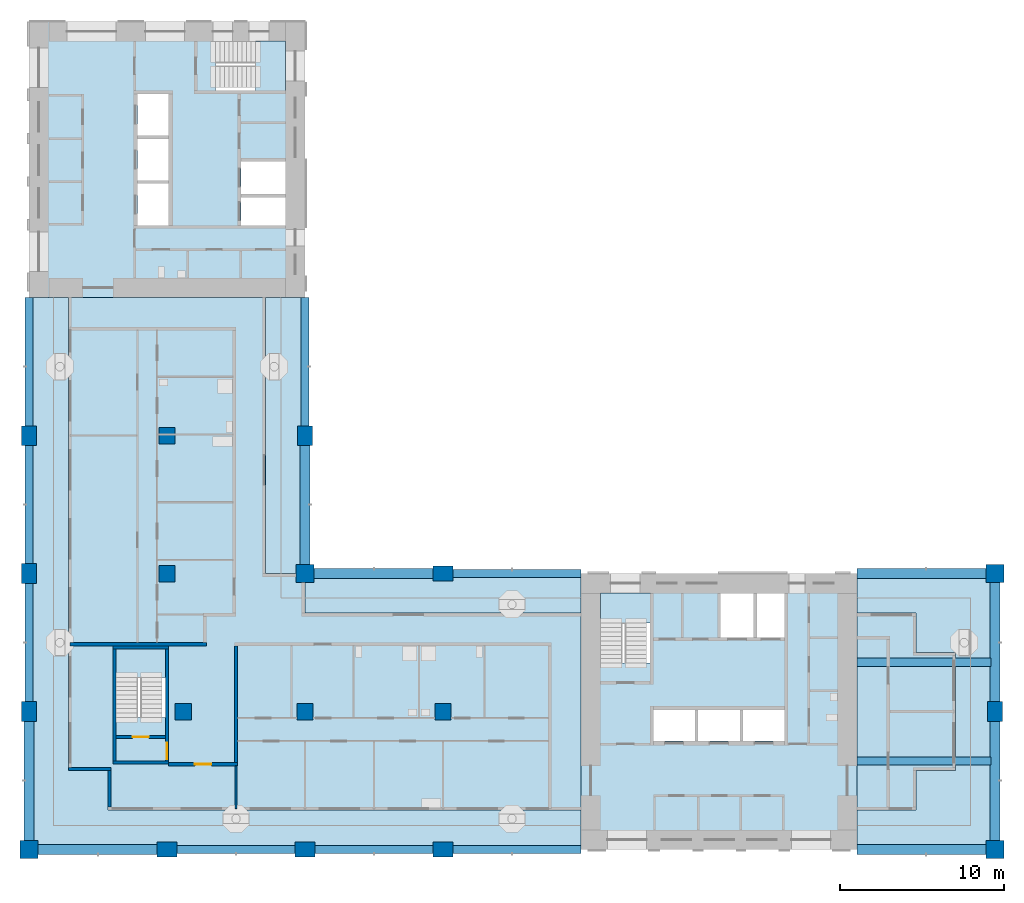
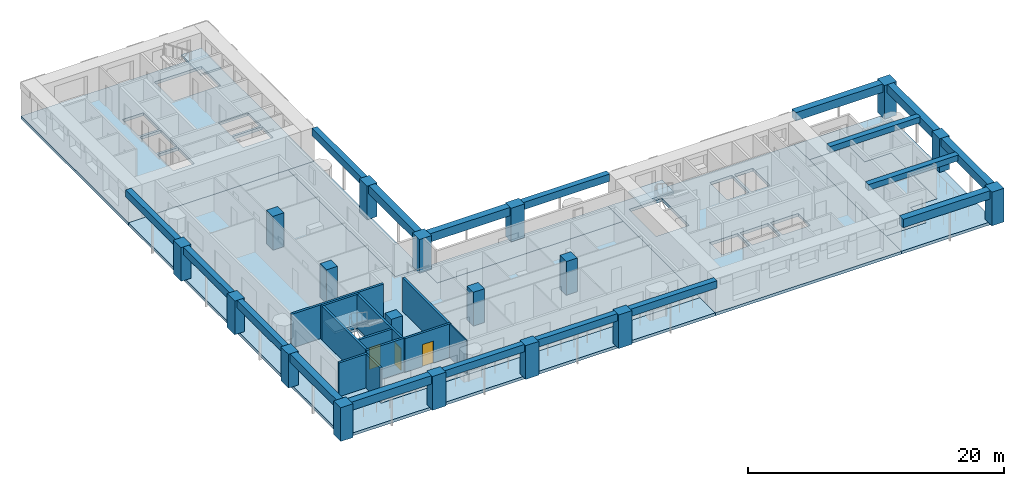
# One storey, part 1 of 13: 18 beams, 18 columns, 12 slabs, 11 walls, 3 doors, 3 openings, 3 elements without a shape of their own.
"""IFC4 building model written with IfcOpenShell, lengths in metres."""

from ifc_helpers import new_model, si_unit, direction, frame, frame_2d, origin, origin_2d, place, context, subcontext, project, spatial, polyline, rectangle, outline, extrude, material, layer, layer_set, material_profile, profile_set, type_object, element, fill, aggregate, save


model = new_model("IFC4")

# Units and contexts
model_context = context("Model", 3, precision=1e-05, world=origin(), true_north=direction((0.0, 1.0)))
body_context = subcontext(model_context, "Body", "Model", "MODEL_VIEW")
ifc_project = project(units=[si_unit("LENGTHUNIT", "METRE"), si_unit("AREAUNIT", "SQUARE_METRE"), si_unit("VOLUMEUNIT", "CUBIC_METRE"), si_unit("PLANEANGLEUNIT", "RADIAN"), si_unit("MASSUNIT", "GRAM", prefix="KILO")], contexts=[model_context])

# Site, building, storey
site_placement = place(None, origin())
site = spatial("IfcSite", under=ifc_project, at=site_placement, CompositionType="ELEMENT")
building_placement = place(site_placement, origin())
building = spatial("IfcBuilding", under=site, at=building_placement, Name="Vermilion Gate Residences", CompositionType="ELEMENT")
storey_placement = place(building_placement, frame((0.0, 0.0, 193.199951171875)))
storey = spatial("IfcBuildingStorey", under=building, at=storey_placement, Name="L50", CompositionType="ELEMENT", Elevation=193.199951171875)

# Columns
ifc_material_1 = material(Name="Concrete C60", Category="concrete")
ifc_material_profile_1 = material_profile(ifc_material_1, rectangle(XDim=1.0, YDim=1.0, at=origin_2d()), Name="RC-1000x1000")
ifc_profile_set_1 = profile_set([ifc_material_profile_1], Name="Concrete C60")
column_type_1 = type_object("IfcColumnType", Name="RC COLUMN 1000 X 1000 C60", PredefinedType="COLUMN", material=ifc_profile_set_1)
for number, where, z_axis, x_axis, name in (
    (1, (17.800048828125, 16.800048828125, 0.0), (0.0, 0.0, 1.0), (1.0, 0.0, 0.0), "Column 3-C L50"),
    (2, (16.800048828125, 25.199951171875, 0.0), (0.0, 0.0, 1.0), (1.0, 0.0, 0.0), "Column 3-D L50"),
    (3, (16.800048828125, 33.60009765625, 0.0), (0.0, 0.0, 1.0), (1.0, 0.0, 0.0), "Column 3-E L50"),
    (4, (25.199951171875, 16.800048828125, 0.0), (0.0, 0.0, 1.0), (1.0, 0.0, 0.0), "Column 4-C L50"),
    (5, (33.60009765625, 16.800048828125, 0.0), (0.0, 0.0, 1.0), (1.0, 0.0, 0.0), "Column 5-C L50"),
):
    element("IfcColumn", number, at=place(storey_placement, frame(where, z_axis=z_axis, x_axis=x_axis)), inside=storey, type_object=column_type_1, Name=name, PredefinedType="COLUMN", context=body_context, shape_type="SweptSolid", body=[
        extrude(rectangle(XDim=1.0, YDim=1.0, at=origin_2d()), origin(), (0.0, 0.0, 1.0), 3.219970703125),
    ])
ifc_material_2 = material(Name="Concrete C60", Category="concrete")
ifc_material_profile_2 = material_profile(ifc_material_2, rectangle(XDim=1.10009765625, YDim=1.10009765625, at=origin_2d()), Name="RC-1100x1100")
ifc_profile_set_2 = profile_set([ifc_material_profile_2], Name="Concrete C60")
column_type_2 = type_object("IfcColumnType", Name="RC COLUMN 1100 X 1100 C60", PredefinedType="COLUMN", material=ifc_profile_set_2)
for number, where, z_axis, x_axis, name in (
    (6, (8.39990234375, 8.39990234375, 0.0), (0.0, 0.0, 1.0), (1.0, 0.0, 0.0), "Column 2-B L50"),
    (7, (25.199951171875, 25.199951171875, 0.0), (0.0, 0.0, 1.0), (1.0, 0.0, 0.0), "Column 4-D L50"),
    (8, (67.199951171875, 8.39990234375, 0.0), (0.0, 0.0, 1.0), (1.0, 0.0, 0.0), "Column 9-B L50"),
    (9, (67.199951171875, 25.199951171875, 0.0), (0.0, 0.0, 1.0), (1.0, 0.0, 0.0), "Column 9-D L50"),
):
    element("IfcColumn", number, at=place(storey_placement, frame(where, z_axis=z_axis, x_axis=x_axis)), inside=storey, type_object=column_type_2, Name=name, PredefinedType="COLUMN", context=body_context, shape_type="SweptSolid", body=[
        extrude(rectangle(XDim=1.10009765625, YDim=1.10009765625, at=origin_2d()), origin(), (0.0, 0.0, 1.0), 3.219970703125),
    ])
ifc_material_3 = material(Name="Concrete C60", Category="concrete")
ifc_material_profile_3 = material_profile(ifc_material_3, rectangle(XDim=1.199951171875, YDim=0.89990234375, at=origin_2d()), Name="RC-1200x900")
ifc_profile_set_3 = profile_set([ifc_material_profile_3], Name="Concrete C60")
column_type_3 = type_object("IfcColumnType", Name="RC COLUMN 1200 X 900 C60", PredefinedType="COLUMN", material=ifc_profile_set_3)
for number, where, z_axis, x_axis, name in (
    (10, (8.39990234375, 16.800048828125, 0.0), (0.0, 0.0, 1.0), (0.0, 1.0, 0.0), "Column 2-C L50"),
    (11, (8.39990234375, 25.199951171875, 0.0), (0.0, 0.0, 1.0), (0.0, 1.0, 0.0), "Column 2-D L50"),
    (12, (8.39990234375, 33.60009765625, 0.0), (0.0, 0.0, 1.0), (0.0, 1.0, 0.0), "Column 2-E L50"),
    (13, (16.800048828125, 8.39990234375, 0.0), (0.0, 0.0, 1.0), (1.0, 0.0, 0.0), "Column 3-B L50"),
    (14, (25.199951171875, 8.39990234375, 0.0), (0.0, 0.0, 1.0), (1.0, 0.0, 0.0), "Column 4-B L50"),
    (15, (25.199951171875, 33.60009765625, 0.0), (0.0, 0.0, 1.0), (0.0, 1.0, 0.0), "Column 4-E L50"),
    (16, (33.60009765625, 8.39990234375, 0.0), (0.0, 0.0, 1.0), (1.0, 0.0, 0.0), "Column 5-B L50"),
    (17, (33.60009765625, 25.199951171875, 0.0), (0.0, 0.0, 1.0), (1.0, 0.0, 0.0), "Column 5-D L50"),
    (18, (67.199951171875, 16.800048828125, 0.0), (0.0, 0.0, 1.0), (0.0, 1.0, 0.0), "Column 9-C L50"),
):
    element("IfcColumn", number, at=place(storey_placement, frame(where, z_axis=z_axis, x_axis=x_axis)), inside=storey, type_object=column_type_3, Name=name, PredefinedType="COLUMN", context=body_context, shape_type="SweptSolid", body=[
        extrude(rectangle(XDim=1.199951171875, YDim=0.89990234375, at=origin_2d()), origin(), (0.0, 0.0, 1.0), 3.219970703125),
    ])

# Beams
ifc_material_4 = material(Name="Concrete C60 red-oxide pigmented", Category="concrete")
ifc_material_profile_4 = material_profile(ifc_material_4, rectangle(XDim=0.60009765625, YDim=0.800048828125, at=origin_2d()), Name="RC-600x800")
ifc_profile_set_4 = profile_set([ifc_material_profile_4], Name="Concrete C60 red-oxide pigmented")
beam_type_1 = type_object("IfcBeamType", Name="RC CORNER EDGE BEAM 600 X 800 C60", PredefinedType="BEAM", material=ifc_profile_set_4)
for number, where, z_axis, x_axis, name in (
    (19, (8.949951171875, 8.39990234375, 2.820068359375), (1.0, 0.0, 0.0), (0.0, 1.0, 0.0), "Corner edge beam L50 1"),
    (20, (8.39990234375, 8.949951171875, 2.820068359375), (0.0, 1.0, 0.0), (-1.0, 0.0, 0.0), "Corner edge beam L50 2"),
    (21, (25.199951171875, 25.75, 2.820068359375), (0.0, 1.0, 0.0), (-1.0, 0.0, 0.0), "Corner edge beam L50 7"),
    (22, (25.75, 25.199951171875, 2.820068359375), (1.0, 0.0, 0.0), (0.0, 1.0, 0.0), "Corner edge beam L50 10"),
):
    element("IfcBeam", number, at=place(storey_placement, frame(where, z_axis=z_axis, x_axis=x_axis)), inside=storey, type_object=beam_type_1, Name=name, PredefinedType="BEAM", context=body_context, shape_type="SweptSolid", body=[
        extrude(rectangle(XDim=0.60009765625, YDim=0.800048828125, at=origin_2d()), origin(), (0.0, 0.0, 1.0), 7.25),
    ])
beam_1_placement = place(storey_placement, frame((58.800048828125, 8.39990234375, 2.820068359375), z_axis=(1.0, 0.0, 0.0), x_axis=(0.0, 1.0, 0.0)))
element("IfcBeam", 23, at=beam_1_placement, inside=storey, type_object=beam_type_1, Name="Corner edge beam L50 13", PredefinedType="BEAM", context=body_context, shape_type="SweptSolid", body=[
    extrude(rectangle(XDim=0.60009765625, YDim=0.800048828125, at=origin_2d()), origin(), (0.0, 0.0, 1.0), 7.849853515625),
])
for number, where, z_axis, x_axis, name in (
    (24, (67.199951171875, 8.949951171875, 2.820068359375), (0.0, 1.0, 0.0), (-1.0, 0.0, 0.0), "Corner edge beam L50 14"),
    (25, (67.199951171875, 17.39990234375, 2.820068359375), (0.0, 1.0, 0.0), (-1.0, 0.0, 0.0), "Corner edge beam L50 15"),
):
    element("IfcBeam", number, at=place(storey_placement, frame(where, z_axis=z_axis, x_axis=x_axis)), inside=storey, type_object=beam_type_1, Name=name, PredefinedType="BEAM", context=body_context, shape_type="SweptSolid", body=[
        extrude(rectangle(XDim=0.60009765625, YDim=0.800048828125, at=origin_2d()), origin(), (0.0, 0.0, 1.0), 7.25),
    ])
beam_2_placement = place(storey_placement, frame((58.800048828125, 25.199951171875, 2.820068359375), z_axis=(1.0, 0.0, 0.0), x_axis=(0.0, 1.0, 0.0)))
element("IfcBeam", 26, at=beam_2_placement, inside=storey, type_object=beam_type_1, Name="Corner edge beam L50 16", PredefinedType="BEAM", context=body_context, shape_type="SweptSolid", body=[
    extrude(rectangle(XDim=0.60009765625, YDim=0.800048828125, at=origin_2d()), origin(), (0.0, 0.0, 1.0), 7.849853515625),
])
ifc_material_5 = material(Name="Concrete C60 red-oxide pigmented", Category="concrete")
ifc_material_profile_5 = material_profile(ifc_material_5, rectangle(XDim=0.5, YDim=0.699951171875, at=origin_2d()), Name="RC-500x700")
ifc_profile_set_5 = profile_set([ifc_material_profile_5], Name="Concrete C60 red-oxide pigmented")
beam_type_2 = type_object("IfcBeamType", Name="RC EDGE BEAM 500 X 700 C60", PredefinedType="BEAM", material=ifc_profile_set_5)
beam_3_placement = place(storey_placement, frame((8.39990234375, 17.39990234375, 2.8701171875), z_axis=(0.0, 1.0, 0.0), x_axis=(-1.0, 0.0, 0.0)))
element("IfcBeam", 27, at=beam_3_placement, inside=storey, type_object=beam_type_2, Name="Edge beam L50 3", PredefinedType="BEAM", context=body_context, shape_type="SweptSolid", body=[
    extrude(rectangle(XDim=0.5, YDim=0.699951171875, at=origin_2d()), origin(), (0.0, 0.0, 1.0), 7.2001953125),
])
beam_4_placement = place(storey_placement, frame((8.39990234375, 25.800048828125, 2.8701171875), z_axis=(0.0, 1.0, 0.0), x_axis=(-1.0, 0.0, 0.0)))
element("IfcBeam", 28, at=beam_4_placement, inside=storey, type_object=beam_type_2, Name="Edge beam L50 4", PredefinedType="BEAM", context=body_context, shape_type="SweptSolid", body=[
    extrude(rectangle(XDim=0.5, YDim=0.699951171875, at=origin_2d()), origin(), (0.0, 0.0, 1.0), 7.199951171875),
])
beam_5_placement = place(storey_placement, frame((8.39990234375, 34.199951171875, 2.8701171875), z_axis=(0.0, 1.0, 0.0), x_axis=(-1.0, 0.0, 0.0)))
element("IfcBeam", 29, at=beam_5_placement, inside=storey, type_object=beam_type_2, Name="Edge beam L50 5", PredefinedType="BEAM", context=body_context, shape_type="SweptSolid", body=[
    extrude(rectangle(XDim=0.5, YDim=0.699951171875, at=origin_2d()), origin(), (0.0, 0.0, 1.0), 7.800048828125),
])
beam_6_placement = place(storey_placement, frame((17.39990234375, 8.39990234375, 2.8701171875), z_axis=(1.0, 0.0, 0.0), x_axis=(0.0, 1.0, 0.0)))
element("IfcBeam", 30, at=beam_6_placement, inside=storey, type_object=beam_type_2, Name="Edge beam L50 6", PredefinedType="BEAM", context=body_context, shape_type="SweptSolid", body=[
    extrude(rectangle(XDim=0.5, YDim=0.699951171875, at=origin_2d()), origin(), (0.0, 0.0, 1.0), 7.2001953125),
])
beam_7_placement = place(storey_placement, frame((25.199951171875, 34.199951171875, 2.8701171875), z_axis=(0.0, 1.0, 0.0), x_axis=(-1.0, 0.0, 0.0)))
element("IfcBeam", 31, at=beam_7_placement, inside=storey, type_object=beam_type_2, Name="Edge beam L50 8", PredefinedType="BEAM", context=body_context, shape_type="SweptSolid", body=[
    extrude(rectangle(XDim=0.5, YDim=0.699951171875, at=origin_2d()), origin(), (0.0, 0.0, 1.0), 7.800048828125),
])
beam_8_placement = place(storey_placement, frame((25.800048828125, 8.39990234375, 2.8701171875), z_axis=(1.0, 0.0, 0.0), x_axis=(0.0, 1.0, 0.0)))
element("IfcBeam", 32, at=beam_8_placement, inside=storey, type_object=beam_type_2, Name="Edge beam L50 9", PredefinedType="BEAM", context=body_context, shape_type="SweptSolid", body=[
    extrude(rectangle(XDim=0.5, YDim=0.699951171875, at=origin_2d()), origin(), (0.0, 0.0, 1.0), 7.199951171875),
])
for number, where, z_axis, x_axis, name in (
    (33, (34.199951171875, 8.39990234375, 2.8701171875), (1.0, 0.0, 0.0), (0.0, 1.0, 0.0), "Edge beam L50 11"),
    (34, (34.199951171875, 25.199951171875, 2.8701171875), (1.0, 0.0, 0.0), (0.0, 1.0, 0.0), "Edge beam L50 12"),
):
    element("IfcBeam", number, at=place(storey_placement, frame(where, z_axis=z_axis, x_axis=x_axis)), inside=storey, type_object=beam_type_2, Name=name, PredefinedType="BEAM", context=body_context, shape_type="SweptSolid", body=[
        extrude(rectangle(XDim=0.5, YDim=0.699951171875, at=origin_2d()), origin(), (0.0, 0.0, 1.0), 7.800048828125),
    ])
ifc_material_6 = material(Name="Concrete C60", Category="concrete")
ifc_material_profile_6 = material_profile(ifc_material_6, rectangle(XDim=0.5, YDim=0.550048828125, at=origin_2d()), Name="RC-500x550")
ifc_profile_set_6 = profile_set([ifc_material_profile_6], Name="Concrete C60")
beam_type_3 = type_object("IfcBeamType", Name="RC WING BEAM 500 X 550 C60", PredefinedType="BEAM", material=ifc_profile_set_6)
for number, where, z_axis, x_axis, name in (
    (35, (58.800048828125, 13.800048828125, 2.945068359375), (1.0, 0.0, 0.0), (0.0, 1.0, 0.0), "Wing-end beam L50 1"),
    (36, (58.800048828125, 19.800048828125, 2.945068359375), (1.0, 0.0, 0.0), (0.0, 1.0, 0.0), "Wing-end beam L50 2"),
):
    element("IfcBeam", number, at=place(storey_placement, frame(where, z_axis=z_axis, x_axis=x_axis)), inside=storey, type_object=beam_type_3, Name=name, PredefinedType="BEAM", context=body_context, shape_type="SweptSolid", body=[
        extrude(rectangle(XDim=0.5, YDim=0.550048828125, at=origin_2d()), origin(), (0.0, 0.0, 1.0), 8.14990234375),
    ])

# Slabs
ifc_material_7 = material(Name="Concrete C50", Category="concrete")
ifc_layer_1 = layer(ifc_material_7, 0.280029296875)
ifc_layer_set_1 = layer_set([ifc_layer_1], Name="RC CORE FLOOR SLAB 280 C50")
slab_type_1 = type_object("IfcSlabType", Name="RC CORE FLOOR SLAB 280 C50", PredefinedType="FLOOR", material=ifc_layer_set_1)
slab_1_placement = place(storey_placement, frame((0.0, 0.0, -0.280029296875)))
element("IfcSlab", 37, at=slab_1_placement, inside=storey, type_object=slab_type_1, Name="Core floor slab A50", PredefinedType="FLOOR", context=body_context, shape_type="SweptSolid", body=[
    extrude(outline(polyline([(42.0, 8.39990234375), (58.800048828125, 8.39990234375), (58.800048828125, 25.199951171875), (42.0, 25.199951171875), (42.0, 8.39990234375)]), holes=[polyline([(46.39990234375, 15.0), (46.39990234375, 16.89990234375), (48.933349609375, 16.89990234375), (48.933349609375, 15.0), (46.39990234375, 15.0)]), polyline([(49.13330078125, 16.89990234375), (51.666748046875, 16.89990234375), (51.666748046875, 15.0), (49.13330078125, 15.0), (49.13330078125, 16.89990234375)]), polyline([(51.86669921875, 16.89990234375), (54.39990234375, 16.89990234375), (54.39990234375, 15.0), (51.86669921875, 15.0), (51.86669921875, 16.89990234375)]), polyline([(43.199951171875, 19.75), (43.199951171875, 24.0), (46.199951171875, 24.0), (46.199951171875, 19.75), (43.199951171875, 19.75)]), polyline([(50.5, 24.0), (52.5, 24.0), (52.5, 21.300048828125), (50.5, 21.300048828125), (50.5, 24.0)]), polyline([(52.699951171875, 24.0), (54.39990234375, 24.0), (54.39990234375, 21.300048828125), (52.699951171875, 21.300048828125), (52.699951171875, 24.0)])]), origin(), (0.0, 0.0, 1.0), 0.280029296875),
])
slab_2_placement = place(storey_placement, frame((0.0, 0.0, -0.280029296875)))
element("IfcSlab", 38, at=slab_2_placement, inside=storey, type_object=slab_type_1, Name="Core floor slab B50", PredefinedType="FLOOR", context=body_context, shape_type="SweptSolid", body=[
    extrude(outline(polyline([(8.39990234375, 42.0), (25.199951171875, 42.0), (25.199951171875, 58.800048828125), (8.39990234375, 58.800048828125), (8.39990234375, 42.0)]), holes=[polyline([(21.300048828125, 46.39990234375), (21.300048828125, 48.10009765625), (24.0, 48.10009765625), (24.0, 46.39990234375), (21.300048828125, 46.39990234375)]), polyline([(15.0, 48.933349609375), (16.89990234375, 48.933349609375), (16.89990234375, 46.39990234375), (15.0, 46.39990234375), (15.0, 48.933349609375)]), polyline([(21.300048828125, 50.300048828125), (24.0, 50.300048828125), (24.0, 48.300048828125), (21.300048828125, 48.300048828125), (21.300048828125, 50.300048828125)]), polyline([(15.0, 49.13330078125), (15.0, 51.666748046875), (16.89990234375, 51.666748046875), (16.89990234375, 49.13330078125), (15.0, 49.13330078125)]), polyline([(15.0, 54.39990234375), (16.89990234375, 54.39990234375), (16.89990234375, 51.86669921875), (15.0, 51.86669921875), (15.0, 54.39990234375)]), polyline([(19.75, 57.60009765625), (24.0, 57.60009765625), (24.0, 54.60009765625), (19.75, 54.60009765625), (19.75, 57.60009765625)])]), origin(), (0.0, 0.0, 1.0), 0.280029296875),
])
slab_3_placement = place(storey_placement, frame((0.0, 0.0, -0.280029296875)))
element("IfcSlab", 39, at=slab_3_placement, inside=storey, type_object=slab_type_1, Name="Apex stair floor slab 50", PredefinedType="FLOOR", context=body_context, shape_type="SweptSolid", body=[
    extrude(outline(polyline([(13.5, 13.60009765625), (16.89990234375, 13.60009765625), (16.89990234375, 20.800048828125), (13.5, 20.800048828125), (13.5, 13.60009765625)]), holes=[polyline([(16.699951171875, 20.60009765625), (16.699951171875, 16.449951171875), (13.699951171875, 16.449951171875), (13.699951171875, 20.60009765625), (16.699951171875, 20.60009765625)])]), origin(), (0.0, 0.0, 1.0), 0.280029296875),
])
ifc_material_8 = material(Name="Concrete C50", Category="concrete")
ifc_layer_2 = layer(ifc_material_8, 0.280029296875)
ifc_layer_set_2 = layer_set([ifc_layer_2], Name="RC FLAT PLATE 280 C50")
slab_type_2 = type_object("IfcSlabType", Name="RC FLAT PLATE 280 C50", PredefinedType="FLOOR", material=ifc_layer_set_2)
slab_4_placement = place(storey_placement, frame((0.0, 0.0, -0.280029296875)))
element("IfcSlab", 40, at=slab_4_placement, inside=storey, type_object=slab_type_2, Name="Floor slab L50", PredefinedType="FLOOR", context=body_context, shape_type="SweptSolid", body=[
    extrude(outline(polyline([(22.800048828125, 25.199951171875), (22.800048828125, 42.0), (10.800048828125, 42.0), (10.800048828125, 13.199951171875), (13.199951171875, 13.199951171875), (13.199951171875, 10.800048828125), (42.0, 10.800048828125), (42.0, 22.800048828125), (25.199951171875, 22.800048828125), (25.199951171875, 25.199951171875), (22.800048828125, 25.199951171875)]), holes=[polyline([(13.5, 13.60009765625), (13.5, 20.800048828125), (16.89990234375, 20.800048828125), (16.89990234375, 13.60009765625), (13.5, 13.60009765625)])]), origin(), (0.0, 0.0, 1.0), 0.280029296875),
])
slab_5_placement = place(storey_placement, frame((0.0, 0.0, -0.280029296875)))
element("IfcSlab", 41, at=slab_5_placement, inside=storey, type_object=slab_type_2, Name="Floor slab L50", PredefinedType="FLOOR", context=body_context, shape_type="SweptSolid", body=[
    extrude(outline(polyline([(58.800048828125, 22.800048828125), (58.800048828125, 10.800048828125), (62.39990234375, 10.800048828125), (62.39990234375, 13.199951171875), (64.800048828125, 13.199951171875), (64.800048828125, 20.39990234375), (62.39990234375, 20.39990234375), (62.39990234375, 22.800048828125), (58.800048828125, 22.800048828125)])), origin(), (0.0, 0.0, 1.0), 0.280029296875),
])
ifc_material_9 = material(Name="Concrete C50 red-oxide pigmented", Category="concrete")
ifc_layer_3 = layer(ifc_material_9, 0.280029296875)
ifc_layer_set_3 = layer_set([ifc_layer_3], Name="RC LOGGIA SLAB 280 C50")
slab_type_3 = type_object("IfcSlabType", Name="RC LOGGIA SLAB 280 C50", PredefinedType="FLOOR", material=ifc_layer_set_3)
slab_6_placement = place(storey_placement, frame((0.0, 0.0, -0.280029296875)))
element("IfcSlab", 42, at=slab_6_placement, inside=storey, type_object=slab_type_3, Name="Loggia slab L50", PredefinedType="FLOOR", context=body_context, shape_type="SweptSolid", body=[
    extrude(outline(polyline([(8.39990234375, 42.0), (8.39990234375, 8.39990234375), (42.0, 8.39990234375), (42.0, 10.800048828125), (13.199951171875, 10.800048828125), (13.199951171875, 13.199951171875), (10.800048828125, 13.199951171875), (10.800048828125, 42.0), (8.39990234375, 42.0)])), origin(), (0.0, 0.0, 1.0), 0.280029296875),
])
slab_7_placement = place(storey_placement, frame((0.0, 0.0, -0.280029296875)))
element("IfcSlab", 43, at=slab_7_placement, inside=storey, type_object=slab_type_3, Name="Loggia slab L50", PredefinedType="FLOOR", context=body_context, shape_type="SweptSolid", body=[
    extrude(outline(polyline([(64.800048828125, 13.199951171875), (62.39990234375, 13.199951171875), (62.39990234375, 10.800048828125), (58.800048828125, 10.800048828125), (58.800048828125, 8.39990234375), (67.199951171875, 8.39990234375), (67.199951171875, 25.199951171875), (58.800048828125, 25.199951171875), (58.800048828125, 22.800048828125), (62.39990234375, 22.800048828125), (62.39990234375, 20.39990234375), (64.800048828125, 20.39990234375), (64.800048828125, 13.199951171875)])), origin(), (0.0, 0.0, 1.0), 0.280029296875),
])
slab_8_placement = place(storey_placement, frame((0.0, 0.0, -0.280029296875)))
element("IfcSlab", 44, at=slab_8_placement, inside=storey, type_object=slab_type_3, Name="Loggia slab L50", PredefinedType="FLOOR", context=body_context, shape_type="SweptSolid", body=[
    extrude(outline(polyline([(42.0, 25.199951171875), (25.199951171875, 25.199951171875), (25.199951171875, 22.800048828125), (42.0, 22.800048828125), (42.0, 25.199951171875)])), origin(), (0.0, 0.0, 1.0), 0.280029296875),
])
slab_9_placement = place(storey_placement, frame((0.0, 0.0, -0.280029296875)))
element("IfcSlab", 45, at=slab_9_placement, inside=storey, type_object=slab_type_3, Name="Loggia slab L50", PredefinedType="FLOOR", context=body_context, shape_type="SweptSolid", body=[
    extrude(outline(polyline([(22.800048828125, 42.0), (22.800048828125, 25.199951171875), (25.199951171875, 25.199951171875), (25.199951171875, 42.0), (22.800048828125, 42.0)])), origin(), (0.0, 0.0, 1.0), 0.280029296875),
])

# Stair, slab
ifc_material_10 = material(Name="Concrete C50", Category="concrete")
stair_type = type_object("IfcStairType", Name="SPECIAL ESCAPE STAIR 1300", PredefinedType="HALF_TURN_STAIR", material=ifc_material_10)
stair_1_placement = place(storey_placement, origin())
stair_1 = element("IfcStair", 46, at=stair_1_placement, inside=storey, type_object=stair_type, Name="Special escape stair STA1-50", PredefinedType="HALF_TURN_STAIR")
ifc_material_11 = material(Name="Concrete C50", Category="concrete")
ifc_layer_4 = layer(ifc_material_11, 0.199951171875)
ifc_layer_set_4 = layer_set([ifc_layer_4], Name="STAIR LANDING 200 C50")
slab_type_4 = type_object("IfcSlabType", Name="STAIR LANDING 200 C50", PredefinedType="LANDING", material=ifc_layer_set_4)
slab_10_placement = place(storey_placement, frame((0.0, 0.0, 1.550048828125)))
slab_10 = element("IfcSlab", 47, at=slab_10_placement, type_object=slab_type_4, Name="STA1-50 landing 1", PredefinedType="LANDING", context=body_context, shape_type="SweptSolid", body=[
    extrude(outline(polyline([(46.219970703125, 22.179931640625), (46.219970703125, 24.02001953125), (43.179931640625, 24.02001953125), (43.179931640625, 22.179931640625), (46.219970703125, 22.179931640625)])), origin(), (0.0, 0.0, 1.0), 0.199951171875),
])
aggregate(stair_1, [slab_10])

stair_2_placement = place(storey_placement, origin())
stair_2 = element("IfcStair", 48, at=stair_2_placement, inside=storey, type_object=stair_type, Name="Special escape stair STB1-50", PredefinedType="HALF_TURN_STAIR")
slab_11_placement = place(storey_placement, frame((0.0, 0.0, 1.550048828125)))
slab_11 = element("IfcSlab", 49, at=slab_11_placement, type_object=slab_type_4, Name="STB1-50 landing 1", PredefinedType="LANDING", context=body_context, shape_type="SweptSolid", body=[
    extrude(outline(polyline([(24.02001953125, 54.580078125), (24.02001953125, 57.6201171875), (22.179931640625, 57.6201171875), (22.179931640625, 54.580078125), (24.02001953125, 54.580078125)])), origin(), (0.0, 0.0, 1.0), 0.199951171875),
])
aggregate(stair_2, [slab_11])

stair_3_placement = place(storey_placement, origin())
stair_3 = element("IfcStair", 50, at=stair_3_placement, inside=storey, type_object=stair_type, Name="Special escape stair STC1-50", PredefinedType="HALF_TURN_STAIR")
slab_12_placement = place(storey_placement, frame((0.0, 0.0, 1.550048828125)))
slab_12 = element("IfcSlab", 51, at=slab_12_placement, type_object=slab_type_4, Name="STC1-50 landing 1", PredefinedType="LANDING", context=body_context, shape_type="SweptSolid", body=[
    extrude(outline(polyline([(16.719970703125, 18.8798828125), (16.719970703125, 20.6201171875), (13.679931640625, 20.6201171875), (13.679931640625, 18.8798828125), (16.719970703125, 18.8798828125)])), origin(), (0.0, 0.0, 1.0), 0.199951171875),
])
aggregate(stair_3, [slab_12])

# Walls
ifc_material_12 = material(Name="Insulated steel stud wall with terracotta rainscreen", Category="masonry")
ifc_layer_5 = layer(ifc_material_12, 0.199951171875)
ifc_layer_set_5 = layer_set([ifc_layer_5], Name="EXTERNAL WALL 200 TERRACOTTA RAINSCREEN")
wall_type_1 = type_object("IfcWallType", Name="EXTERNAL WALL 200 TERRACOTTA RAINSCREEN", PredefinedType="SOLIDWALL", material=ifc_layer_set_5)
wall_1_placement = place(storey_placement, frame((10.800048828125, 13.300048828125, 0.0), z_axis=(0.0, 0.0, 1.0), x_axis=(1.0, 0.0, 0.0)))
element("IfcWall", 52, at=wall_1_placement, inside=storey, type_object=wall_type_1, Name="External wall", PredefinedType="SOLIDWALL", context=body_context, shape_type="SweptSolid", body=[
    extrude(rectangle(XDim=2.599853515625, YDim=0.199951171875, at=frame_2d((1.2998046875, 0.0))), origin(), (0.0, 0.0, 1.0), 3.219970703125),
])
wall_2_placement = place(storey_placement, frame((13.300048828125, 13.199951171875, 0.0), z_axis=(0.0, 0.0, 1.0), x_axis=(0.0, -1.0, 0.0)))
element("IfcWall", 53, at=wall_2_placement, inside=storey, type_object=wall_type_1, Name="External wall", PredefinedType="SOLIDWALL", context=body_context, shape_type="SweptSolid", body=[
    extrude(rectangle(XDim=2.199951171875, YDim=0.199951171875, at=frame_2d((1.10009765625, 0.0))), origin(), (0.0, 0.0, 1.0), 3.219970703125),
])
ifc_material_13 = material(Name="Plasterboard on steel studs", Category="steel")
ifc_layer_6 = layer(ifc_material_13, 0.10009765625)
ifc_layer_set_6 = layer_set([ifc_layer_6], Name="PARTITION 100")
wall_type_2 = type_object("IfcWallType", Name="PARTITION 100", PredefinedType="PARTITIONING", material=ifc_layer_set_6)
wall_3_placement = place(storey_placement, frame((21.0, 10.89990234375, 0.0), z_axis=(0.0, 0.0, 1.0), x_axis=(0.0, 1.0, 0.0)))
element("IfcWall", 54, at=wall_3_placement, inside=storey, type_object=wall_type_2, Name="Partition", PredefinedType="PARTITIONING", context=body_context, shape_type="SweptSolid", body=[
    extrude(rectangle(XDim=2.60009765625, YDim=0.10009765625, at=frame_2d((1.300048828125, 0.0))), origin(), (0.0, 0.0, 1.0), 3.219970703125),
])

# Wall, opening, door
ifc_material_14 = material(Name="Fire-rated plasterboard on steel studs", Category="steel")
ifc_layer_7 = layer(ifc_material_14, 0.199951171875)
ifc_layer_set_7 = layer_set([ifc_layer_7], Name="PARTY WALL 200 EI 120")
wall_type_3 = type_object("IfcWallType", Name="PARTY WALL 200 EI 120", PredefinedType="PARTITIONING", material=ifc_layer_set_7)
wall_4_placement = place(storey_placement, frame((16.89990234375, 13.60009765625, 0.0), z_axis=(0.0, 0.0, 1.0), x_axis=(1.0, 0.0, 0.0)))
wall_4 = element("IfcWall", 55, at=wall_4_placement, inside=storey, type_object=wall_type_3, Name="Party and corridor wall", PredefinedType="PARTITIONING", context=body_context, shape_type="SweptSolid", body=[
    extrude(rectangle(XDim=4.2001953125, YDim=0.199951171875, at=frame_2d((2.10009765625, 0.0))), origin(), (0.0, 0.0, 1.0), 3.219970703125),
])
opening_1_placement = place(wall_4_placement, frame((1.60009765625, 0.0, 0.0)))
opening_1 = element("IfcOpeningElement", 56, at=opening_1_placement, cuts=wall_4, Name="Opening DA49001", PredefinedType="OPENING", context=body_context, shape_type="SweptSolid", body=[
    extrude(rectangle(XDim=1.0, YDim=2.10009765625, at=frame_2d((0.5, 1.050048828125))), frame((0.0, 0.10986328125, 0.0), z_axis=(0.0, -1.0, 0.0), x_axis=(1.0, 0.0, 0.0)), (0.0, 0.0, 1.0), 0.219970703125),
])
ifc_material_15 = material(Name="Steel", Category="steel")
door_type_1 = type_object("IfcDoorType", Name="ENTRANCE DOOR 1000 X 2100 FD30", OperationType="SINGLE_SWING_LEFT", PredefinedType="DOOR", material=ifc_material_15)
door_1_placement = place(opening_1_placement, frame((1.0, 0.0, 0.0), z_axis=(0.0, 0.0, 1.0), x_axis=(-1.0, 0.0, 0.0)))
door_1 = element("IfcDoor", 57, at=door_1_placement, inside=storey, type_object=door_type_1, Name="Entrance door", OperationType="SINGLE_SWING_LEFT", OverallHeight=2.10009765625, OverallWidth=1.0, PredefinedType="DOOR", context=body_context, shape_type="SweptSolid", body=[
    extrude(rectangle(XDim=1.0, YDim=2.10009765625, at=frame_2d((0.5, 1.050048828125))), frame((0.0, 0.02490234375, 0.0), z_axis=(0.0, -1.0, 0.0), x_axis=(1.0, 0.0, 0.0)), (0.0, 0.0, 1.0), 0.050048828125),
])
fill(opening_1, door_1)

# Walls
wall_5_placement = place(storey_placement, frame((10.89990234375, 20.89990234375, 0.0), z_axis=(0.0, 0.0, 1.0), x_axis=(1.0, 0.0, 0.0)))
element("IfcWall", 58, at=wall_5_placement, inside=storey, type_object=wall_type_3, Name="Party and corridor wall", PredefinedType="PARTITIONING", context=body_context, shape_type="SweptSolid", body=[
    extrude(rectangle(XDim=8.300048828125, YDim=0.199951171875, at=frame_2d((4.14990234375, 0.0))), origin(), (0.0, 0.0, 1.0), 3.219970703125),
])
wall_6_placement = place(storey_placement, frame((21.0, 13.699951171875, 0.0), z_axis=(0.0, 0.0, 1.0), x_axis=(0.0, 1.0, 0.0)))
element("IfcWall", 59, at=wall_6_placement, inside=storey, type_object=wall_type_3, Name="Party and corridor wall", PredefinedType="PARTITIONING", context=body_context, shape_type="SweptSolid", body=[
    extrude(rectangle(XDim=7.10009765625, YDim=0.199951171875, at=frame_2d((3.550048828125, 0.0))), origin(), (0.0, 0.0, 1.0), 3.219970703125),
])
ifc_material_16 = material(Name="Concrete C60", Category="concrete")
ifc_layer_8 = layer(ifc_material_16, 0.199951171875)
ifc_layer_set_8 = layer_set([ifc_layer_8], Name="RC CORE INTERNAL WALL 200 C60")
wall_type_4 = type_object("IfcWallType", Name="RC CORE INTERNAL WALL 200 C60", PredefinedType="SHEAR", material=ifc_layer_set_8)
wall_7_placement = place(storey_placement, frame((13.60009765625, 13.800048828125, 0.0), z_axis=(0.0, 0.0, 1.0), x_axis=(0.0, 1.0, 0.0)))
element("IfcWall", 60, at=wall_7_placement, inside=storey, type_object=wall_type_4, Name="Core internal wall C50-W", PredefinedType="SHEAR", context=body_context, shape_type="SweptSolid", body=[
    extrude(rectangle(XDim=6.800048828125, YDim=0.199951171875, at=frame_2d((3.39990234375, 0.0))), origin(), (0.0, 0.0, 1.0), 3.219970703125),
])

# Wall, opening, door
wall_8_placement = place(storey_placement, frame((16.800048828125, 13.800048828125, 0.0), z_axis=(0.0, 0.0, 1.0), x_axis=(0.0, 1.0, 0.0)))
wall_8 = element("IfcWall", 61, at=wall_8_placement, inside=storey, type_object=wall_type_4, Name="Core internal wall C50-E", PredefinedType="SHEAR", context=body_context, shape_type="SweptSolid", body=[
    extrude(rectangle(XDim=6.800048828125, YDim=0.199951171875, at=frame_2d((3.39990234375, 0.0))), origin(), (0.0, 0.0, 1.0), 3.219970703125),
])
opening_2_placement = place(wall_8_placement, frame((0.10009765625, 0.0, 0.0)))
opening_2 = element("IfcOpeningElement", 62, at=opening_2_placement, cuts=wall_8, Name="Opening DK50201", PredefinedType="OPENING", context=body_context, shape_type="SweptSolid", body=[
    extrude(rectangle(XDim=1.0, YDim=2.10009765625, at=frame_2d((0.5, 1.050048828125))), frame((0.0, 0.10986328125, 0.0), z_axis=(0.0, -1.0, 0.0), x_axis=(1.0, 0.0, 0.0)), (0.0, 0.0, 1.0), 0.219970703125),
])
ifc_material_17 = material(Name="Steel", Category="steel")
door_type_2 = type_object("IfcDoorType", Name="FIRE DOOR FD60 1000 X 2100", OperationType="SINGLE_SWING_LEFT", PredefinedType="DOOR", material=ifc_material_17)
door_2_placement = place(opening_2_placement, frame((1.0, 0.0, 0.0), z_axis=(0.0, 0.0, 1.0), x_axis=(-1.0, 0.0, 0.0)))
door_2 = element("IfcDoor", 63, at=door_2_placement, inside=storey, type_object=door_type_2, Name="Stair vestibule door C50", OperationType="SINGLE_SWING_RIGHT", OverallHeight=2.10009765625, OverallWidth=1.0, PredefinedType="DOOR", context=body_context, shape_type="SweptSolid", body=[
    extrude(rectangle(XDim=1.0, YDim=2.10009765625, at=frame_2d((0.5, 1.050048828125))), frame((0.0, 0.02490234375, 0.0), z_axis=(0.0, -1.0, 0.0), x_axis=(1.0, 0.0, 0.0)), (0.0, 0.0, 1.0), 0.050048828125),
])
fill(opening_2, door_2)

# Walls
for number, where, z_axis, x_axis, name in (
    (64, (13.5, 13.699951171875, 0.0), (0.0, 0.0, 1.0), (1.0, 0.0, 0.0), "Core internal wall C50-S"),
    (65, (13.5, 20.699951171875, 0.0), (0.0, 0.0, 1.0), (1.0, 0.0, 0.0), "Core internal wall C50-N"),
):
    element("IfcWall", number, at=place(storey_placement, frame(where, z_axis=z_axis, x_axis=x_axis)), inside=storey, type_object=wall_type_4, Name=name, PredefinedType="SHEAR", context=body_context, shape_type="SweptSolid", body=[
        extrude(rectangle(XDim=3.39990234375, YDim=0.199951171875, at=frame_2d((1.699951171875, 0.0))), origin(), (0.0, 0.0, 1.0), 3.219970703125),
    ])

# Wall, opening, door
wall_9_placement = place(storey_placement, frame((13.699951171875, 15.25, 0.0), z_axis=(0.0, 0.0, 1.0), x_axis=(1.0, 0.0, 0.0)))
wall_9 = element("IfcWall", 66, at=wall_9_placement, inside=storey, type_object=wall_type_4, Name="Core internal wall C50-P", PredefinedType="SHEAR", context=body_context, shape_type="SweptSolid", body=[
    extrude(rectangle(XDim=3.0, YDim=0.199951171875, at=frame_2d((1.5, 0.0))), origin(), (0.0, 0.0, 1.0), 3.219970703125),
])
opening_3_placement = place(wall_9_placement, frame((1.0, 0.0, 0.0)))
opening_3 = element("IfcOpeningElement", 67, at=opening_3_placement, cuts=wall_9, Name="Opening DK50202", PredefinedType="OPENING", context=body_context, shape_type="SweptSolid", body=[
    extrude(rectangle(XDim=1.0, YDim=2.10009765625, at=frame_2d((0.5, 1.050048828125))), frame((0.0, 0.10986328125, 0.0), z_axis=(0.0, -1.0, 0.0), x_axis=(1.0, 0.0, 0.0)), (0.0, 0.0, 1.0), 0.219970703125),
])
door_3_placement = place(opening_3_placement, origin())
door_3 = element("IfcDoor", 68, at=door_3_placement, inside=storey, type_object=door_type_2, Name="Stair door C50", OperationType="SINGLE_SWING_LEFT", OverallHeight=2.10009765625, OverallWidth=1.0, PredefinedType="DOOR", context=body_context, shape_type="SweptSolid", body=[
    extrude(rectangle(XDim=1.0, YDim=2.10009765625, at=frame_2d((0.5, 1.050048828125))), frame((0.0, 0.02490234375, 0.0), z_axis=(0.0, -1.0, 0.0), x_axis=(1.0, 0.0, 0.0)), (0.0, 0.0, 1.0), 0.050048828125),
])
fill(opening_3, door_3)

save(model, "model.ifc")
